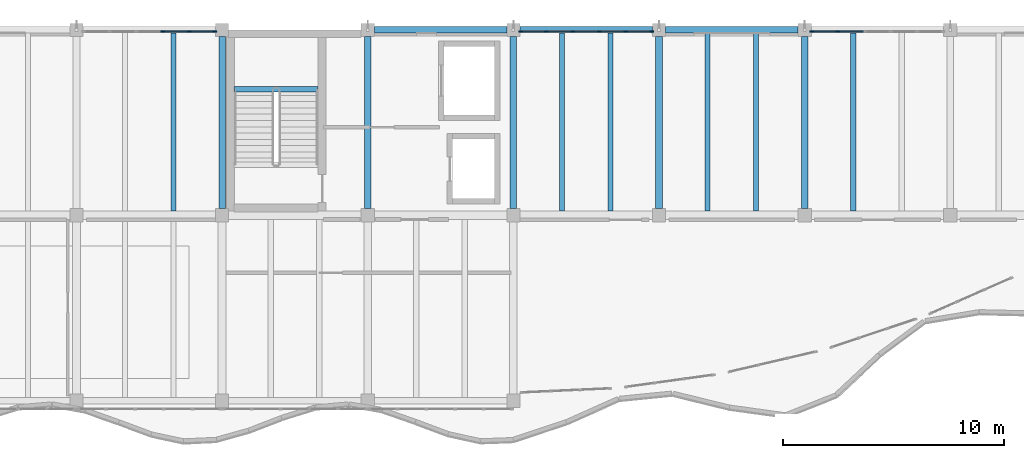
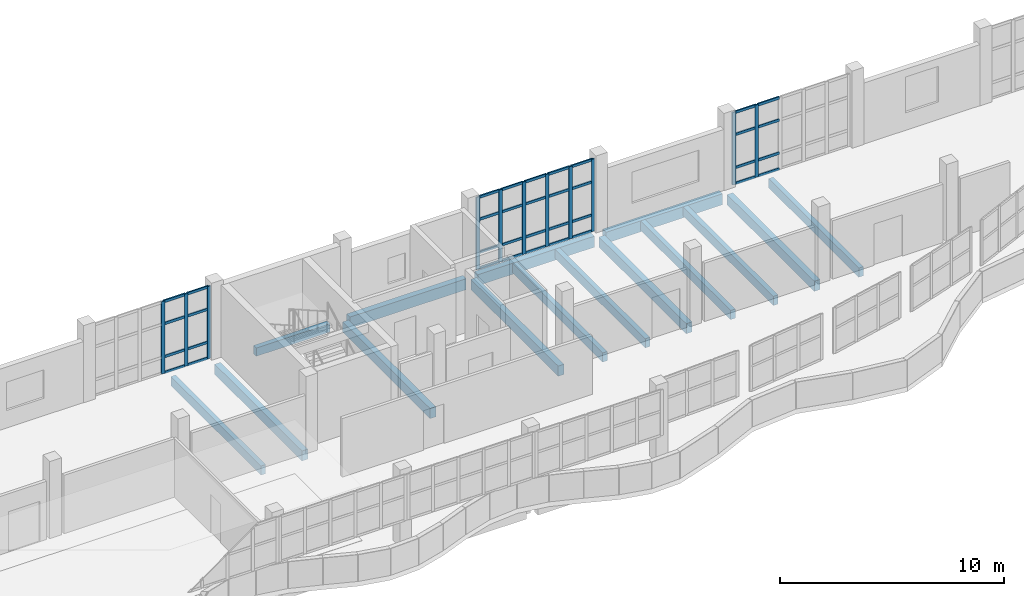
# One storey, part 18 of 74: 47 members, 15 beams, 3 elements without a shape of their own.
"""IFC4 building model written with IfcOpenShell, lengths in metres."""

from ifc_helpers import new_model, si_unit, direction, frame, origin, origin_2d, place, context, subcontext, project, spatial, rectangle, extrude, material, material_profile, profile_set, type_object, element, aggregate, save


model = new_model("IFC4")

# Units and contexts
model_context = context("Model", 3, precision=1e-05, world=origin(), true_north=direction((0.0, 1.0)))
body_context = subcontext(model_context, "Body", "Model", "MODEL_VIEW")
ifc_project = project(units=[si_unit("LENGTHUNIT", "METRE"), si_unit("AREAUNIT", "SQUARE_METRE"), si_unit("VOLUMEUNIT", "CUBIC_METRE"), si_unit("PLANEANGLEUNIT", "RADIAN"), si_unit("MASSUNIT", "GRAM", prefix="KILO")], contexts=[model_context])

# Site, building, storey
site_placement = place(None, origin())
site = spatial("IfcSite", under=ifc_project, at=site_placement, CompositionType="ELEMENT")
building_placement = place(site_placement, origin())
building = spatial("IfcBuilding", under=site, at=building_placement, Name="Qaldarim Faculty of Natural and Applied Sciences", CompositionType="ELEMENT")
storey_placement = place(building_placement, frame((0.0, 0.0, 14.39990234375)))
storey = spatial("IfcBuildingStorey", under=building, at=storey_placement, Name="L03", CompositionType="ELEMENT", Elevation=14.39990234375)

# Beams
ifc_material_1 = material(Name="Concrete C40/50", Category="concrete")
ifc_material_profile_1 = material_profile(ifc_material_1, rectangle(XDim=0.300048828125, YDim=0.550048828125, at=origin_2d()), Name="RC-B300x550")
ifc_profile_set_1 = profile_set([ifc_material_profile_1], Name="Concrete C40/50")
beam_type_1 = type_object("IfcBeamType", Name="FloorBeam-RC300x550", PredefinedType="BEAM", material=ifc_profile_set_1)
for number, where, z_axis, x_axis, name in (
    (1, (99.0, 109.5, -0.534912109375), (0.0, 1.0, 0.0), (-1.0, 0.0, 0.0), "Beam RC-B300x550 L02 X16/Y14-Y15"),
    (2, (105.60009765625, 109.5, -0.534912109375), (0.0, 1.0, 0.0), (-1.0, 0.0, 0.0), "Beam RC-B300x550 L02 X17/Y14-Y15"),
    (3, (112.199951171875, 109.5, -0.534912109375), (0.0, 1.0, 0.0), (-1.0, 0.0, 0.0), "Beam RC-B300x550 L02 X18/Y14-Y15"),
    (4, (118.800048828125, 109.5, -0.534912109375), (0.0, 1.0, 0.0), (-1.0, 0.0, 0.0), "Beam RC-B300x550 L02 X19/Y14-Y15"),
    (5, (125.39990234375, 109.5, -0.534912109375), (0.0, 1.0, 0.0), (-1.0, 0.0, 0.0), "Beam RC-B300x550 L02 X20/Y14-Y15"),
):
    element("IfcBeam", number, at=place(storey_placement, frame(where, z_axis=z_axis, x_axis=x_axis)), inside=storey, type_object=beam_type_1, Name=name, PredefinedType="BEAM", context=body_context, shape_type="SweptSolid", body=[
        extrude(rectangle(XDim=0.300048828125, YDim=0.550048828125, at=origin_2d()), origin(), (0.0, 0.0, 1.0), 7.800048828125),
    ])
ifc_material_profile_2 = material_profile(ifc_material_1, rectangle(XDim=0.239990234375, YDim=0.5, at=origin_2d()), Name="RC-J240x500")
ifc_profile_set_2 = profile_set([ifc_material_profile_2], Name="Concrete C40/50")
beam_type_2 = type_object("IfcBeamType", Name="HeavyJoist-RC240x500", PredefinedType="JOIST", material=ifc_profile_set_2)
for number, where, z_axis, x_axis, name in (
    (6, (96.800048828125, 109.39990234375, -0.510009765625), (0.0, 1.0, 0.0), (-1.0, 0.0, 0.0), "Laboratory joist L02 bay X15Y14-2"),
    (7, (114.39990234375, 109.39990234375, -0.510009765625), (0.0, 1.0, 0.0), (-1.0, 0.0, 0.0), "Laboratory joist L02 bay X18Y14-1"),
    (8, (116.60009765625, 109.39990234375, -0.510009765625), (0.0, 1.0, 0.0), (-1.0, 0.0, 0.0), "Laboratory joist L02 bay X18Y14-2"),
    (9, (121.0, 109.39990234375, -0.510009765625), (0.0, 1.0, 0.0), (-1.0, 0.0, 0.0), "Laboratory joist L02 bay X19Y14-1"),
    (10, (123.199951171875, 109.39990234375, -0.510009765625), (0.0, 1.0, 0.0), (-1.0, 0.0, 0.0), "Laboratory joist L02 bay X19Y14-2"),
    (11, (127.60009765625, 109.39990234375, -0.510009765625), (0.0, 1.0, 0.0), (-1.0, 0.0, 0.0), "Laboratory joist L02 bay X20Y14-1"),
):
    element("IfcBeam", number, at=place(storey_placement, frame(where, z_axis=z_axis, x_axis=x_axis)), inside=storey, type_object=beam_type_2, Name=name, PredefinedType="JOIST", context=body_context, shape_type="SweptSolid", body=[
        extrude(rectangle(XDim=0.239990234375, YDim=0.5, at=origin_2d()), origin(), (0.0, 0.0, 1.0), 8.050048828125),
    ])
ifc_material_profile_3 = material_profile(ifc_material_1, rectangle(XDim=0.25, YDim=0.449951171875, at=origin_2d()), Name="RC-LN250x450")
ifc_profile_set_3 = profile_set([ifc_material_profile_3], Name="Concrete C40/50")
beam_type_3 = type_object("IfcBeamType", Name="LandingSupportBeam-RC250x450", PredefinedType="BEAM", material=ifc_profile_set_3)
beam_placement = place(storey_placement, frame((99.550048828125, 114.919921875, 1.6650390625), z_axis=(1.0, 0.0, 0.0), x_axis=(0.0, 1.0, 0.0)))
element("IfcBeam", 12, at=beam_placement, inside=storey, type_object=beam_type_3, Name="Stair landing support beam ST-B1 L03", PredefinedType="BEAM", context=body_context, shape_type="SweptSolid", body=[
    extrude(rectangle(XDim=0.25, YDim=0.449951171875, at=origin_2d()), origin(), (0.0, 0.0, 1.0), 3.800048828125),
])

# Curtain wall, members
ifc_material_2 = material(Name="Anodised aluminium AW-6063", Category="aluminium")
curtain_wall_type = type_object("IfcCurtainWallType", Name="CurtainWallSystem-M1200", PredefinedType="USERDEFINED", material=ifc_material_2)
curtain_wall_1_placement = place(storey_placement, origin())
curtain_wall_1 = element("IfcCurtainWall", 13, at=curtain_wall_1_placement, inside=storey, type_object=curtain_wall_type, Name="Curtain wall CW-L03-N-X15Y14", ObjectType="STICK CURTAIN WALL", PredefinedType="USERDEFINED")
ifc_material_profile_4 = material_profile(ifc_material_2, rectangle(XDim=0.070068359375, YDim=0.179931640625, at=origin_2d()), Name="ALU-M70x180")
ifc_profile_set_4 = profile_set([ifc_material_profile_4], Name="Anodised aluminium AW-6063")
member_type_1 = type_object("IfcMemberType", Name="Mullion-ALU70x180", PredefinedType="MULLION", material=ifc_profile_set_4)
member_1_placement = place(storey_placement, frame((98.669921875, 117.52001953125, 0.0), z_axis=(0.0, 0.0, 1.0), x_axis=(0.0, -1.0, 0.0)))
member_1 = element("IfcMember", 14, at=member_1_placement, type_object=member_type_1, Name="Mullion 1 of CW-L03-N-X15Y14", PredefinedType="MULLION", context=body_context, shape_type="SweptSolid", body=[
    extrude(rectangle(XDim=0.070068359375, YDim=0.179931640625, at=origin_2d()), origin(), (0.0, 0.0, 1.0), 3.940185546875),
])
member_2_placement = place(storey_placement, frame((97.5029296875, 117.52001953125, 0.0), z_axis=(0.0, 0.0, 1.0), x_axis=(0.0, -1.0, 0.0)))
member_2 = element("IfcMember", 15, at=member_2_placement, type_object=member_type_1, Name="Mullion 2 of CW-L03-N-X15Y14", PredefinedType="MULLION", context=body_context, shape_type="SweptSolid", body=[
    extrude(rectangle(XDim=0.070068359375, YDim=0.179931640625, at=origin_2d()), origin(), (0.0, 0.0, 1.0), 3.940185546875),
])
member_3_placement = place(storey_placement, frame((96.301025390625, 117.52001953125, 0.0), z_axis=(0.0, 0.0, 1.0), x_axis=(0.0, -1.0, 0.0)))
member_3 = element("IfcMember", 16, at=member_3_placement, type_object=member_type_1, Name="Mullion 3 of CW-L03-N-X15Y14", PredefinedType="MULLION", context=body_context, shape_type="SweptSolid", body=[
    extrude(rectangle(XDim=0.070068359375, YDim=0.179931640625, at=origin_2d()), origin(), (0.0, 0.0, 1.0), 3.940185546875),
])

curtain_wall_2_placement = place(storey_placement, origin())
curtain_wall_2 = element("IfcCurtainWall", 17, at=curtain_wall_2_placement, inside=storey, type_object=curtain_wall_type, Name="Curtain wall CW-L03-N-X18Y14", ObjectType="STICK CURTAIN WALL", PredefinedType="USERDEFINED")
member_4_placement = place(storey_placement, frame((118.469970703125, 117.52001953125, 0.0), z_axis=(0.0, 0.0, 1.0), x_axis=(0.0, -1.0, 0.0)))
member_4 = element("IfcMember", 18, at=member_4_placement, type_object=member_type_1, Name="Mullion 1 of CW-L03-N-X18Y14", PredefinedType="MULLION", context=body_context, shape_type="SweptSolid", body=[
    extrude(rectangle(XDim=0.070068359375, YDim=0.179931640625, at=origin_2d()), origin(), (0.0, 0.0, 1.0), 3.940185546875),
])
member_5_placement = place(storey_placement, frame((117.302978515625, 117.52001953125, 0.0), z_axis=(0.0, 0.0, 1.0), x_axis=(0.0, -1.0, 0.0)))
member_5 = element("IfcMember", 19, at=member_5_placement, type_object=member_type_1, Name="Mullion 2 of CW-L03-N-X18Y14", PredefinedType="MULLION", context=body_context, shape_type="SweptSolid", body=[
    extrude(rectangle(XDim=0.070068359375, YDim=0.179931640625, at=origin_2d()), origin(), (0.0, 0.0, 1.0), 3.940185546875),
])
member_6_placement = place(storey_placement, frame((116.10107421875, 117.52001953125, 0.0), z_axis=(0.0, 0.0, 1.0), x_axis=(0.0, -1.0, 0.0)))
member_6 = element("IfcMember", 20, at=member_6_placement, type_object=member_type_1, Name="Mullion 3 of CW-L03-N-X18Y14", PredefinedType="MULLION", context=body_context, shape_type="SweptSolid", body=[
    extrude(rectangle(XDim=0.070068359375, YDim=0.179931640625, at=origin_2d()), origin(), (0.0, 0.0, 1.0), 3.940185546875),
])
member_7_placement = place(storey_placement, frame((114.89892578125, 117.52001953125, 0.0), z_axis=(0.0, 0.0, 1.0), x_axis=(0.0, -1.0, 0.0)))
member_7 = element("IfcMember", 21, at=member_7_placement, type_object=member_type_1, Name="Mullion 4 of CW-L03-N-X18Y14", PredefinedType="MULLION", context=body_context, shape_type="SweptSolid", body=[
    extrude(rectangle(XDim=0.070068359375, YDim=0.179931640625, at=origin_2d()), origin(), (0.0, 0.0, 1.0), 3.940185546875),
])
member_8_placement = place(storey_placement, frame((113.697021484375, 117.52001953125, 0.0), z_axis=(0.0, 0.0, 1.0), x_axis=(0.0, -1.0, 0.0)))
member_8 = element("IfcMember", 22, at=member_8_placement, type_object=member_type_1, Name="Mullion 5 of CW-L03-N-X18Y14", PredefinedType="MULLION", context=body_context, shape_type="SweptSolid", body=[
    extrude(rectangle(XDim=0.070068359375, YDim=0.179931640625, at=origin_2d()), origin(), (0.0, 0.0, 1.0), 3.940185546875),
])
member_9_placement = place(storey_placement, frame((112.530029296875, 117.52001953125, 0.0), z_axis=(0.0, 0.0, 1.0), x_axis=(0.0, -1.0, 0.0)))
member_9 = element("IfcMember", 23, at=member_9_placement, type_object=member_type_1, Name="Mullion 6 of CW-L03-N-X18Y14", PredefinedType="MULLION", context=body_context, shape_type="SweptSolid", body=[
    extrude(rectangle(XDim=0.070068359375, YDim=0.179931640625, at=origin_2d()), origin(), (0.0, 0.0, 1.0), 3.940185546875),
])

curtain_wall_3_placement = place(storey_placement, origin())
curtain_wall_3 = element("IfcCurtainWall", 24, at=curtain_wall_3_placement, inside=storey, type_object=curtain_wall_type, Name="Curtain wall CW-L03-N-X20Y14", ObjectType="STICK CURTAIN WALL", PredefinedType="USERDEFINED")
member_10_placement = place(storey_placement, frame((126.89697265625, 117.52001953125, 0.0), z_axis=(0.0, 0.0, 1.0), x_axis=(0.0, -1.0, 0.0)))
member_10 = element("IfcMember", 25, at=member_10_placement, type_object=member_type_1, Name="Mullion 5 of CW-L03-N-X20Y14", PredefinedType="MULLION", context=body_context, shape_type="SweptSolid", body=[
    extrude(rectangle(XDim=0.070068359375, YDim=0.179931640625, at=origin_2d()), origin(), (0.0, 0.0, 1.0), 3.940185546875),
])
member_11_placement = place(storey_placement, frame((125.72998046875, 117.52001953125, 0.0), z_axis=(0.0, 0.0, 1.0), x_axis=(0.0, -1.0, 0.0)))
member_11 = element("IfcMember", 26, at=member_11_placement, type_object=member_type_1, Name="Mullion 6 of CW-L03-N-X20Y14", PredefinedType="MULLION", context=body_context, shape_type="SweptSolid", body=[
    extrude(rectangle(XDim=0.070068359375, YDim=0.179931640625, at=origin_2d()), origin(), (0.0, 0.0, 1.0), 3.940185546875),
])

# Beams
ifc_material_3 = material(Name="Precast concrete C40/50", Category="concrete")
ifc_material_profile_5 = material_profile(ifc_material_3, rectangle(XDim=0.300048828125, YDim=0.60009765625, at=origin_2d()), Name="RC-SP300x600")
ifc_profile_set_5 = profile_set([ifc_material_profile_5], Name="Precast concrete C40/50")
beam_type_4 = type_object("IfcBeamType", Name="SpandrelBeam-RC300x600", PredefinedType="SPANDREL", material=ifc_profile_set_5)
for number, where, z_axis, x_axis, name in (
    (27, (105.89990234375, 117.60009765625, -0.559814453125), (1.0, 0.0, 0.0), (0.0, 1.0, 0.0), "Beam RC-SP300x600 L02 X17-X18/Y15"),
    (28, (112.5, 117.60009765625, -0.559814453125), (1.0, 0.0, 0.0), (0.0, 1.0, 0.0), "Beam RC-SP300x600 L02 X18-X19/Y15"),
    (29, (119.10009765625, 117.60009765625, -0.559814453125), (1.0, 0.0, 0.0), (0.0, 1.0, 0.0), "Beam RC-SP300x600 L02 X19-X20/Y15"),
):
    element("IfcBeam", number, at=place(storey_placement, frame(where, z_axis=z_axis, x_axis=x_axis)), inside=storey, type_object=beam_type_4, Name=name, PredefinedType="SPANDREL", context=body_context, shape_type="SweptSolid", body=[
        extrude(rectangle(XDim=0.300048828125, YDim=0.60009765625, at=origin_2d()), origin(), (0.0, 0.0, 1.0), 6.0),
    ])

# Member
ifc_material_profile_6 = material_profile(ifc_material_2, rectangle(XDim=0.070068359375, YDim=0.139892578125, at=origin_2d()), Name="ALU-T70x140")
ifc_profile_set_6 = profile_set([ifc_material_profile_6], Name="Anodised aluminium AW-6063")
member_type_2 = type_object("IfcMemberType", Name="Transom-ALU70x140", PredefinedType="USERDEFINED", material=ifc_profile_set_6)
member_12_placement = place(storey_placement, frame((98.635009765625, 117.52001953125, 0.03515625), z_axis=(-1.0, 0.0, 0.0), x_axis=(0.0, -1.0, 0.0)))
member_12 = element("IfcMember", 30, at=member_12_placement, type_object=member_type_2, Name="Transom 1-1 of CW-L03-N-X15Y14", ObjectType="TRANSOM", PredefinedType="USERDEFINED", context=body_context, shape_type="SweptSolid", body=[
    extrude(rectangle(XDim=0.070068359375, YDim=0.139892578125, at=origin_2d()), origin(), (0.0, 0.0, 1.0), 1.096923828125),
])

member_13_placement = place(storey_placement, frame((98.635009765625, 117.52001953125, 0.900146484375), z_axis=(-1.0, 0.0, 0.0), x_axis=(0.0, -1.0, 0.0)))
member_13 = element("IfcMember", 31, at=member_13_placement, type_object=member_type_2, Name="Transom 1-2 of CW-L03-N-X15Y14", ObjectType="TRANSOM", PredefinedType="USERDEFINED", context=body_context, shape_type="SweptSolid", body=[
    extrude(rectangle(XDim=0.070068359375, YDim=0.139892578125, at=origin_2d()), origin(), (0.0, 0.0, 1.0), 1.096923828125),
])

member_14_placement = place(storey_placement, frame((98.635009765625, 117.52001953125, 2.7001953125), z_axis=(-1.0, 0.0, 0.0), x_axis=(0.0, -1.0, 0.0)))
member_14 = element("IfcMember", 32, at=member_14_placement, type_object=member_type_2, Name="Transom 1-3 of CW-L03-N-X15Y14", ObjectType="TRANSOM", PredefinedType="USERDEFINED", context=body_context, shape_type="SweptSolid", body=[
    extrude(rectangle(XDim=0.070068359375, YDim=0.139892578125, at=origin_2d()), origin(), (0.0, 0.0, 1.0), 1.096923828125),
])

member_15_placement = place(storey_placement, frame((98.635009765625, 117.52001953125, 3.905029296875), z_axis=(-1.0, 0.0, 0.0), x_axis=(0.0, -1.0, 0.0)))
member_15 = element("IfcMember", 33, at=member_15_placement, type_object=member_type_2, Name="Transom 1-4 of CW-L03-N-X15Y14", ObjectType="TRANSOM", PredefinedType="USERDEFINED", context=body_context, shape_type="SweptSolid", body=[
    extrude(rectangle(XDim=0.070068359375, YDim=0.139892578125, at=origin_2d()), origin(), (0.0, 0.0, 1.0), 1.096923828125),
])

member_16_placement = place(storey_placement, frame((97.468017578125, 117.52001953125, 0.03515625), z_axis=(-1.0, 0.0, 0.0), x_axis=(0.0, -1.0, 0.0)))
member_16 = element("IfcMember", 34, at=member_16_placement, type_object=member_type_2, Name="Transom 2-1 of CW-L03-N-X15Y14", ObjectType="TRANSOM", PredefinedType="USERDEFINED", context=body_context, shape_type="SweptSolid", body=[
    extrude(rectangle(XDim=0.070068359375, YDim=0.139892578125, at=origin_2d()), origin(), (0.0, 0.0, 1.0), 1.132080078125),
])

member_17_placement = place(storey_placement, frame((97.468017578125, 117.52001953125, 0.900146484375), z_axis=(-1.0, 0.0, 0.0), x_axis=(0.0, -1.0, 0.0)))
member_17 = element("IfcMember", 35, at=member_17_placement, type_object=member_type_2, Name="Transom 2-2 of CW-L03-N-X15Y14", ObjectType="TRANSOM", PredefinedType="USERDEFINED", context=body_context, shape_type="SweptSolid", body=[
    extrude(rectangle(XDim=0.070068359375, YDim=0.139892578125, at=origin_2d()), origin(), (0.0, 0.0, 1.0), 1.132080078125),
])

member_18_placement = place(storey_placement, frame((97.468017578125, 117.52001953125, 2.7001953125), z_axis=(-1.0, 0.0, 0.0), x_axis=(0.0, -1.0, 0.0)))
member_18 = element("IfcMember", 36, at=member_18_placement, type_object=member_type_2, Name="Transom 2-3 of CW-L03-N-X15Y14", ObjectType="TRANSOM", PredefinedType="USERDEFINED", context=body_context, shape_type="SweptSolid", body=[
    extrude(rectangle(XDim=0.070068359375, YDim=0.139892578125, at=origin_2d()), origin(), (0.0, 0.0, 1.0), 1.132080078125),
])

member_19_placement = place(storey_placement, frame((97.468017578125, 117.52001953125, 3.905029296875), z_axis=(-1.0, 0.0, 0.0), x_axis=(0.0, -1.0, 0.0)))
member_19 = element("IfcMember", 37, at=member_19_placement, type_object=member_type_2, Name="Transom 2-4 of CW-L03-N-X15Y14", ObjectType="TRANSOM", PredefinedType="USERDEFINED", context=body_context, shape_type="SweptSolid", body=[
    extrude(rectangle(XDim=0.070068359375, YDim=0.139892578125, at=origin_2d()), origin(), (0.0, 0.0, 1.0), 1.132080078125),
])

aggregate(curtain_wall_1, [member_1, member_2, member_3, member_12, member_13, member_14, member_15, member_16, member_17, member_18, member_19])

member_20_placement = place(storey_placement, frame((118.43505859375, 117.52001953125, 0.03515625), z_axis=(-1.0, 0.0, 0.0), x_axis=(0.0, -1.0, 0.0)))
member_20 = element("IfcMember", 38, at=member_20_placement, type_object=member_type_2, Name="Transom 1-1 of CW-L03-N-X18Y14", ObjectType="TRANSOM", PredefinedType="USERDEFINED", context=body_context, shape_type="SweptSolid", body=[
    extrude(rectangle(XDim=0.070068359375, YDim=0.139892578125, at=origin_2d()), origin(), (0.0, 0.0, 1.0), 1.09716796875),
])

member_21_placement = place(storey_placement, frame((118.43505859375, 117.52001953125, 0.900146484375), z_axis=(-1.0, 0.0, 0.0), x_axis=(0.0, -1.0, 0.0)))
member_21 = element("IfcMember", 39, at=member_21_placement, type_object=member_type_2, Name="Transom 1-2 of CW-L03-N-X18Y14", ObjectType="TRANSOM", PredefinedType="USERDEFINED", context=body_context, shape_type="SweptSolid", body=[
    extrude(rectangle(XDim=0.070068359375, YDim=0.139892578125, at=origin_2d()), origin(), (0.0, 0.0, 1.0), 1.09716796875),
])

member_22_placement = place(storey_placement, frame((118.43505859375, 117.52001953125, 2.7001953125), z_axis=(-1.0, 0.0, 0.0), x_axis=(0.0, -1.0, 0.0)))
member_22 = element("IfcMember", 40, at=member_22_placement, type_object=member_type_2, Name="Transom 1-3 of CW-L03-N-X18Y14", ObjectType="TRANSOM", PredefinedType="USERDEFINED", context=body_context, shape_type="SweptSolid", body=[
    extrude(rectangle(XDim=0.070068359375, YDim=0.139892578125, at=origin_2d()), origin(), (0.0, 0.0, 1.0), 1.09716796875),
])

member_23_placement = place(storey_placement, frame((118.43505859375, 117.52001953125, 3.905029296875), z_axis=(-1.0, 0.0, 0.0), x_axis=(0.0, -1.0, 0.0)))
member_23 = element("IfcMember", 41, at=member_23_placement, type_object=member_type_2, Name="Transom 1-4 of CW-L03-N-X18Y14", ObjectType="TRANSOM", PredefinedType="USERDEFINED", context=body_context, shape_type="SweptSolid", body=[
    extrude(rectangle(XDim=0.070068359375, YDim=0.139892578125, at=origin_2d()), origin(), (0.0, 0.0, 1.0), 1.09716796875),
])

member_24_placement = place(storey_placement, frame((117.26806640625, 117.52001953125, 0.03515625), z_axis=(-1.0, 0.0, 0.0), x_axis=(0.0, -1.0, 0.0)))
member_24 = element("IfcMember", 42, at=member_24_placement, type_object=member_type_2, Name="Transom 2-1 of CW-L03-N-X18Y14", ObjectType="TRANSOM", PredefinedType="USERDEFINED", context=body_context, shape_type="SweptSolid", body=[
    extrude(rectangle(XDim=0.070068359375, YDim=0.139892578125, at=origin_2d()), origin(), (0.0, 0.0, 1.0), 1.132080078125),
])

member_25_placement = place(storey_placement, frame((117.26806640625, 117.52001953125, 0.900146484375), z_axis=(-1.0, 0.0, 0.0), x_axis=(0.0, -1.0, 0.0)))
member_25 = element("IfcMember", 43, at=member_25_placement, type_object=member_type_2, Name="Transom 2-2 of CW-L03-N-X18Y14", ObjectType="TRANSOM", PredefinedType="USERDEFINED", context=body_context, shape_type="SweptSolid", body=[
    extrude(rectangle(XDim=0.070068359375, YDim=0.139892578125, at=origin_2d()), origin(), (0.0, 0.0, 1.0), 1.132080078125),
])

member_26_placement = place(storey_placement, frame((117.26806640625, 117.52001953125, 2.7001953125), z_axis=(-1.0, 0.0, 0.0), x_axis=(0.0, -1.0, 0.0)))
member_26 = element("IfcMember", 44, at=member_26_placement, type_object=member_type_2, Name="Transom 2-3 of CW-L03-N-X18Y14", ObjectType="TRANSOM", PredefinedType="USERDEFINED", context=body_context, shape_type="SweptSolid", body=[
    extrude(rectangle(XDim=0.070068359375, YDim=0.139892578125, at=origin_2d()), origin(), (0.0, 0.0, 1.0), 1.132080078125),
])

member_27_placement = place(storey_placement, frame((117.26806640625, 117.52001953125, 3.905029296875), z_axis=(-1.0, 0.0, 0.0), x_axis=(0.0, -1.0, 0.0)))
member_27 = element("IfcMember", 45, at=member_27_placement, type_object=member_type_2, Name="Transom 2-4 of CW-L03-N-X18Y14", ObjectType="TRANSOM", PredefinedType="USERDEFINED", context=body_context, shape_type="SweptSolid", body=[
    extrude(rectangle(XDim=0.070068359375, YDim=0.139892578125, at=origin_2d()), origin(), (0.0, 0.0, 1.0), 1.132080078125),
])

member_28_placement = place(storey_placement, frame((116.06591796875, 117.52001953125, 0.03515625), z_axis=(-1.0, 0.0, 0.0), x_axis=(0.0, -1.0, 0.0)))
member_28 = element("IfcMember", 46, at=member_28_placement, type_object=member_type_2, Name="Transom 3-1 of CW-L03-N-X18Y14", ObjectType="TRANSOM", PredefinedType="USERDEFINED", context=body_context, shape_type="SweptSolid", body=[
    extrude(rectangle(XDim=0.070068359375, YDim=0.139892578125, at=origin_2d()), origin(), (0.0, 0.0, 1.0), 1.1318359375),
])

member_29_placement = place(storey_placement, frame((116.06591796875, 117.52001953125, 0.900146484375), z_axis=(-1.0, 0.0, 0.0), x_axis=(0.0, -1.0, 0.0)))
member_29 = element("IfcMember", 47, at=member_29_placement, type_object=member_type_2, Name="Transom 3-2 of CW-L03-N-X18Y14", ObjectType="TRANSOM", PredefinedType="USERDEFINED", context=body_context, shape_type="SweptSolid", body=[
    extrude(rectangle(XDim=0.070068359375, YDim=0.139892578125, at=origin_2d()), origin(), (0.0, 0.0, 1.0), 1.1318359375),
])

member_30_placement = place(storey_placement, frame((116.06591796875, 117.52001953125, 2.7001953125), z_axis=(-1.0, 0.0, 0.0), x_axis=(0.0, -1.0, 0.0)))
member_30 = element("IfcMember", 48, at=member_30_placement, type_object=member_type_2, Name="Transom 3-3 of CW-L03-N-X18Y14", ObjectType="TRANSOM", PredefinedType="USERDEFINED", context=body_context, shape_type="SweptSolid", body=[
    extrude(rectangle(XDim=0.070068359375, YDim=0.139892578125, at=origin_2d()), origin(), (0.0, 0.0, 1.0), 1.1318359375),
])

member_31_placement = place(storey_placement, frame((116.06591796875, 117.52001953125, 3.905029296875), z_axis=(-1.0, 0.0, 0.0), x_axis=(0.0, -1.0, 0.0)))
member_31 = element("IfcMember", 49, at=member_31_placement, type_object=member_type_2, Name="Transom 3-4 of CW-L03-N-X18Y14", ObjectType="TRANSOM", PredefinedType="USERDEFINED", context=body_context, shape_type="SweptSolid", body=[
    extrude(rectangle(XDim=0.070068359375, YDim=0.139892578125, at=origin_2d()), origin(), (0.0, 0.0, 1.0), 1.1318359375),
])

member_32_placement = place(storey_placement, frame((114.864013671875, 117.52001953125, 0.03515625), z_axis=(-1.0, 0.0, 0.0), x_axis=(0.0, -1.0, 0.0)))
member_32 = element("IfcMember", 50, at=member_32_placement, type_object=member_type_2, Name="Transom 4-1 of CW-L03-N-X18Y14", ObjectType="TRANSOM", PredefinedType="USERDEFINED", context=body_context, shape_type="SweptSolid", body=[
    extrude(rectangle(XDim=0.070068359375, YDim=0.139892578125, at=origin_2d()), origin(), (0.0, 0.0, 1.0), 1.132080078125),
])

member_33_placement = place(storey_placement, frame((114.864013671875, 117.52001953125, 0.900146484375), z_axis=(-1.0, 0.0, 0.0), x_axis=(0.0, -1.0, 0.0)))
member_33 = element("IfcMember", 51, at=member_33_placement, type_object=member_type_2, Name="Transom 4-2 of CW-L03-N-X18Y14", ObjectType="TRANSOM", PredefinedType="USERDEFINED", context=body_context, shape_type="SweptSolid", body=[
    extrude(rectangle(XDim=0.070068359375, YDim=0.139892578125, at=origin_2d()), origin(), (0.0, 0.0, 1.0), 1.132080078125),
])

member_34_placement = place(storey_placement, frame((114.864013671875, 117.52001953125, 2.7001953125), z_axis=(-1.0, 0.0, 0.0), x_axis=(0.0, -1.0, 0.0)))
member_34 = element("IfcMember", 52, at=member_34_placement, type_object=member_type_2, Name="Transom 4-3 of CW-L03-N-X18Y14", ObjectType="TRANSOM", PredefinedType="USERDEFINED", context=body_context, shape_type="SweptSolid", body=[
    extrude(rectangle(XDim=0.070068359375, YDim=0.139892578125, at=origin_2d()), origin(), (0.0, 0.0, 1.0), 1.132080078125),
])

member_35_placement = place(storey_placement, frame((114.864013671875, 117.52001953125, 3.905029296875), z_axis=(-1.0, 0.0, 0.0), x_axis=(0.0, -1.0, 0.0)))
member_35 = element("IfcMember", 53, at=member_35_placement, type_object=member_type_2, Name="Transom 4-4 of CW-L03-N-X18Y14", ObjectType="TRANSOM", PredefinedType="USERDEFINED", context=body_context, shape_type="SweptSolid", body=[
    extrude(rectangle(XDim=0.070068359375, YDim=0.139892578125, at=origin_2d()), origin(), (0.0, 0.0, 1.0), 1.132080078125),
])

member_36_placement = place(storey_placement, frame((113.662109375, 117.52001953125, 0.03515625), z_axis=(-1.0, 0.0, 0.0), x_axis=(0.0, -1.0, 0.0)))
member_36 = element("IfcMember", 54, at=member_36_placement, type_object=member_type_2, Name="Transom 5-1 of CW-L03-N-X18Y14", ObjectType="TRANSOM", PredefinedType="USERDEFINED", context=body_context, shape_type="SweptSolid", body=[
    extrude(rectangle(XDim=0.070068359375, YDim=0.139892578125, at=origin_2d()), origin(), (0.0, 0.0, 1.0), 1.09716796875),
])

member_37_placement = place(storey_placement, frame((113.662109375, 117.52001953125, 0.900146484375), z_axis=(-1.0, 0.0, 0.0), x_axis=(0.0, -1.0, 0.0)))
member_37 = element("IfcMember", 55, at=member_37_placement, type_object=member_type_2, Name="Transom 5-2 of CW-L03-N-X18Y14", ObjectType="TRANSOM", PredefinedType="USERDEFINED", context=body_context, shape_type="SweptSolid", body=[
    extrude(rectangle(XDim=0.070068359375, YDim=0.139892578125, at=origin_2d()), origin(), (0.0, 0.0, 1.0), 1.09716796875),
])

member_38_placement = place(storey_placement, frame((113.662109375, 117.52001953125, 2.7001953125), z_axis=(-1.0, 0.0, 0.0), x_axis=(0.0, -1.0, 0.0)))
member_38 = element("IfcMember", 56, at=member_38_placement, type_object=member_type_2, Name="Transom 5-3 of CW-L03-N-X18Y14", ObjectType="TRANSOM", PredefinedType="USERDEFINED", context=body_context, shape_type="SweptSolid", body=[
    extrude(rectangle(XDim=0.070068359375, YDim=0.139892578125, at=origin_2d()), origin(), (0.0, 0.0, 1.0), 1.09716796875),
])

member_39_placement = place(storey_placement, frame((113.662109375, 117.52001953125, 3.905029296875), z_axis=(-1.0, 0.0, 0.0), x_axis=(0.0, -1.0, 0.0)))
member_39 = element("IfcMember", 57, at=member_39_placement, type_object=member_type_2, Name="Transom 5-4 of CW-L03-N-X18Y14", ObjectType="TRANSOM", PredefinedType="USERDEFINED", context=body_context, shape_type="SweptSolid", body=[
    extrude(rectangle(XDim=0.070068359375, YDim=0.139892578125, at=origin_2d()), origin(), (0.0, 0.0, 1.0), 1.09716796875),
])

aggregate(curtain_wall_2, [member_4, member_5, member_6, member_7, member_8, member_9, member_20, member_21, member_22, member_23, member_24, member_25, member_26, member_27, member_28, member_29, member_30, member_31, member_32, member_33, member_34, member_35, member_36, member_37, member_38, member_39])

member_40_placement = place(storey_placement, frame((128.06396484375, 117.52001953125, 0.03515625), z_axis=(-1.0, 0.0, 0.0), x_axis=(0.0, -1.0, 0.0)))
member_40 = element("IfcMember", 58, at=member_40_placement, type_object=member_type_2, Name="Transom 4-1 of CW-L03-N-X20Y14", ObjectType="TRANSOM", PredefinedType="USERDEFINED", context=body_context, shape_type="SweptSolid", body=[
    extrude(rectangle(XDim=0.070068359375, YDim=0.139892578125, at=origin_2d()), origin(), (0.0, 0.0, 1.0), 1.132080078125),
])

member_41_placement = place(storey_placement, frame((128.06396484375, 117.52001953125, 0.900146484375), z_axis=(-1.0, 0.0, 0.0), x_axis=(0.0, -1.0, 0.0)))
member_41 = element("IfcMember", 59, at=member_41_placement, type_object=member_type_2, Name="Transom 4-2 of CW-L03-N-X20Y14", ObjectType="TRANSOM", PredefinedType="USERDEFINED", context=body_context, shape_type="SweptSolid", body=[
    extrude(rectangle(XDim=0.070068359375, YDim=0.139892578125, at=origin_2d()), origin(), (0.0, 0.0, 1.0), 1.132080078125),
])

member_42_placement = place(storey_placement, frame((128.06396484375, 117.52001953125, 2.7001953125), z_axis=(-1.0, 0.0, 0.0), x_axis=(0.0, -1.0, 0.0)))
member_42 = element("IfcMember", 60, at=member_42_placement, type_object=member_type_2, Name="Transom 4-3 of CW-L03-N-X20Y14", ObjectType="TRANSOM", PredefinedType="USERDEFINED", context=body_context, shape_type="SweptSolid", body=[
    extrude(rectangle(XDim=0.070068359375, YDim=0.139892578125, at=origin_2d()), origin(), (0.0, 0.0, 1.0), 1.132080078125),
])

member_43_placement = place(storey_placement, frame((128.06396484375, 117.52001953125, 3.905029296875), z_axis=(-1.0, 0.0, 0.0), x_axis=(0.0, -1.0, 0.0)))
member_43 = element("IfcMember", 61, at=member_43_placement, type_object=member_type_2, Name="Transom 4-4 of CW-L03-N-X20Y14", ObjectType="TRANSOM", PredefinedType="USERDEFINED", context=body_context, shape_type="SweptSolid", body=[
    extrude(rectangle(XDim=0.070068359375, YDim=0.139892578125, at=origin_2d()), origin(), (0.0, 0.0, 1.0), 1.132080078125),
])

member_44_placement = place(storey_placement, frame((126.862060546875, 117.52001953125, 0.03515625), z_axis=(-1.0, 0.0, 0.0), x_axis=(0.0, -1.0, 0.0)))
member_44 = element("IfcMember", 62, at=member_44_placement, type_object=member_type_2, Name="Transom 5-1 of CW-L03-N-X20Y14", ObjectType="TRANSOM", PredefinedType="USERDEFINED", context=body_context, shape_type="SweptSolid", body=[
    extrude(rectangle(XDim=0.070068359375, YDim=0.139892578125, at=origin_2d()), origin(), (0.0, 0.0, 1.0), 1.09716796875),
])

member_45_placement = place(storey_placement, frame((126.862060546875, 117.52001953125, 0.900146484375), z_axis=(-1.0, 0.0, 0.0), x_axis=(0.0, -1.0, 0.0)))
member_45 = element("IfcMember", 63, at=member_45_placement, type_object=member_type_2, Name="Transom 5-2 of CW-L03-N-X20Y14", ObjectType="TRANSOM", PredefinedType="USERDEFINED", context=body_context, shape_type="SweptSolid", body=[
    extrude(rectangle(XDim=0.070068359375, YDim=0.139892578125, at=origin_2d()), origin(), (0.0, 0.0, 1.0), 1.09716796875),
])

member_46_placement = place(storey_placement, frame((126.862060546875, 117.52001953125, 2.7001953125), z_axis=(-1.0, 0.0, 0.0), x_axis=(0.0, -1.0, 0.0)))
member_46 = element("IfcMember", 64, at=member_46_placement, type_object=member_type_2, Name="Transom 5-3 of CW-L03-N-X20Y14", ObjectType="TRANSOM", PredefinedType="USERDEFINED", context=body_context, shape_type="SweptSolid", body=[
    extrude(rectangle(XDim=0.070068359375, YDim=0.139892578125, at=origin_2d()), origin(), (0.0, 0.0, 1.0), 1.09716796875),
])

member_47_placement = place(storey_placement, frame((126.862060546875, 117.52001953125, 3.905029296875), z_axis=(-1.0, 0.0, 0.0), x_axis=(0.0, -1.0, 0.0)))
member_47 = element("IfcMember", 65, at=member_47_placement, type_object=member_type_2, Name="Transom 5-4 of CW-L03-N-X20Y14", ObjectType="TRANSOM", PredefinedType="USERDEFINED", context=body_context, shape_type="SweptSolid", body=[
    extrude(rectangle(XDim=0.070068359375, YDim=0.139892578125, at=origin_2d()), origin(), (0.0, 0.0, 1.0), 1.09716796875),
])

aggregate(curtain_wall_3, [member_10, member_11, member_40, member_41, member_42, member_43, member_44, member_45, member_46, member_47])

save(model, "model.ifc")
